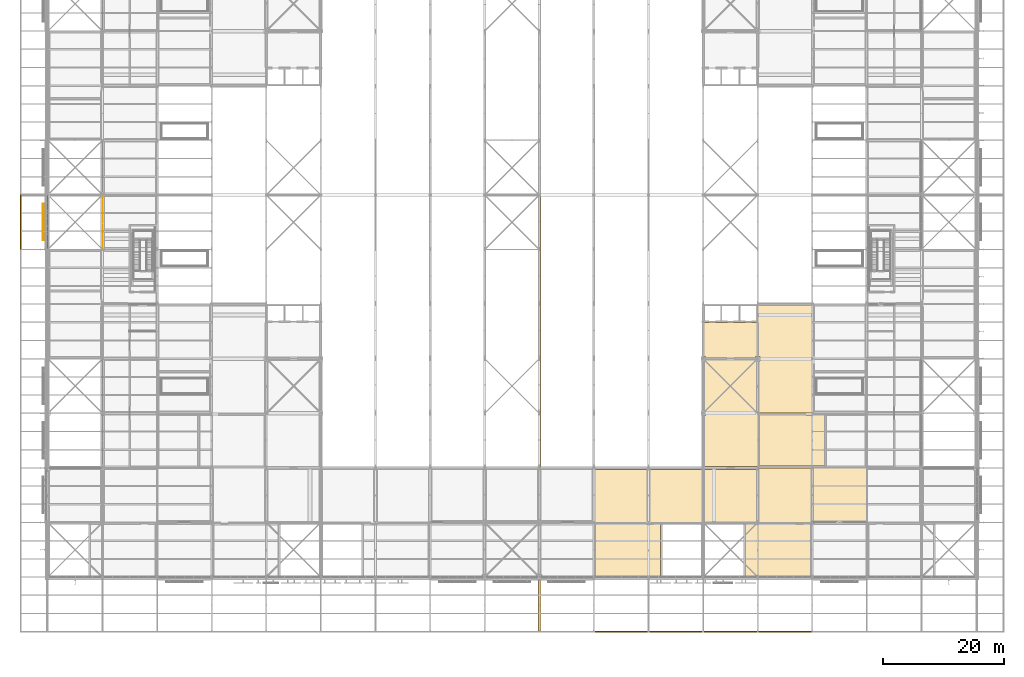
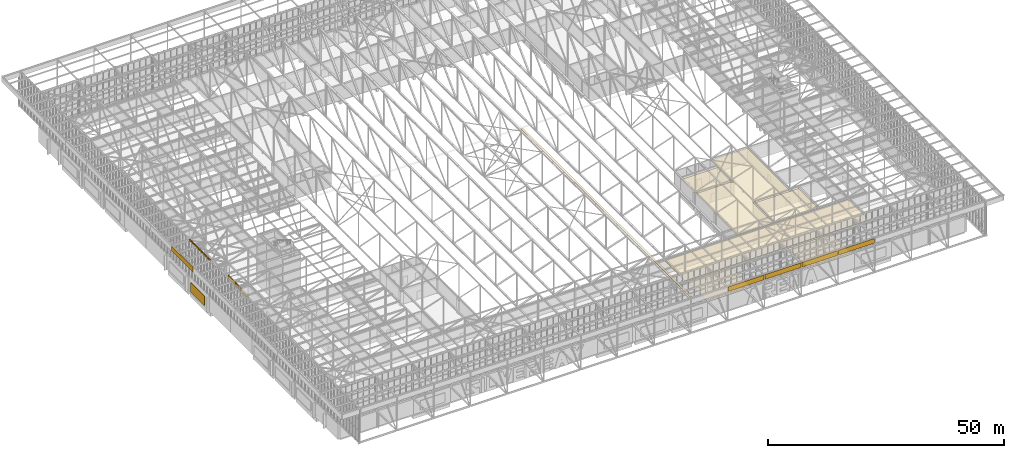
# One storey, part 633 of 646: 15 coverings, 1 railing, 1 shading device.
"""IFC4 building model written with IfcOpenShell, lengths in metres."""

from ifc_helpers import new_model, si_unit, direction, frame, origin, origin_2d, place, context, subcontext, project, spatial, polyline, rectangle, circle, outline, extrude, material, layer, layer_set, type_object, element, save


model = new_model("IFC4")

# Units and contexts
model_context = context("Model", 3, precision=1e-05, world=origin(), true_north=direction((0.0, 1.0)))
body_context = subcontext(model_context, "Body", "Model", "MODEL_VIEW")
ifc_project = project(units=[si_unit("LENGTHUNIT", "METRE"), si_unit("AREAUNIT", "SQUARE_METRE"), si_unit("VOLUMEUNIT", "CUBIC_METRE"), si_unit("PLANEANGLEUNIT", "RADIAN"), si_unit("MASSUNIT", "GRAM", prefix="KILO")], contexts=[model_context])

# Site, building, storey
site_placement = place(None, origin())
site = spatial("IfcSite", under=ifc_project, at=site_placement, CompositionType="ELEMENT")
building_placement = place(site_placement, origin())
building = spatial("IfcBuilding", under=site, at=building_placement, Name="Silverbay Arena", CompositionType="ELEMENT")
storey_placement = place(building_placement, frame((0.0, 0.0, 33.5)))
storey = spatial("IfcBuildingStorey", under=building, at=storey_placement, Name="L05", CompositionType="ELEMENT", Elevation=33.5)

# Coverings
ifc_material_1 = material(Name="Fire-resisting board ceiling")
ifc_layer_1 = layer(ifc_material_1, 0.050048828125)
ifc_layer_set_1 = layer_set([ifc_layer_1], Name="Fire-resisting board ceiling")
covering_type_1 = type_object("IfcCoveringType", Name="Fire-resisting ceiling EI 120", PredefinedType="CEILING", material=ifc_layer_set_1)
covering_1_placement = place(storey_placement, frame((0.0, 0.0, 3.5)))
element("IfcCovering", 1, at=covering_1_placement, inside=storey, type_object=covering_type_1, Name="Fire-resisting ceiling 03", PredefinedType="CEILING", context=body_context, shape_type="SweptSolid", body=[
    extrude(outline(polyline([(188.9599609375, 35.77001953125), (188.9599609375, 36.0), (171.052001953125, 36.0), (171.052001953125, 35.77001953125), (144.02001953125, 35.77001953125), (144.02001953125, 27.10009765625), (144.0, 27.10009765625), (144.0, 27.030029296875), (180.0, 27.030029296875), (180.0, 27.074951171875), (189.02001953125, 27.074951171875), (189.02001953125, 35.77001953125), (188.9599609375, 35.77001953125)])), origin(), (0.0, 0.0, 1.0), 0.050048828125),
])
covering_2_placement = place(storey_placement, frame((0.0, 0.0, 3.5)))
element("IfcCovering", 2, at=covering_2_placement, inside=storey, type_object=covering_type_1, Name="Fire-resisting ceiling 37", PredefinedType="CEILING", context=body_context, shape_type="SweptSolid", body=[
    extrude(outline(polyline([(179.969970703125, 45.030029296875), (179.969970703125, 63.02001953125), (171.030029296875, 63.02001953125), (171.030029296875, 60.0), (171.10009765625, 60.0), (171.10009765625, 54.360107421875), (171.360107421875, 54.360107421875), (171.360107421875, 53.639892578125), (170.639892578125, 53.639892578125), (170.639892578125, 53.89990234375), (162.360107421875, 53.89990234375), (162.360107421875, 53.639892578125), (161.97998046875, 53.639892578125), (161.97998046875, 45.360107421875), (162.360107421875, 45.360107421875), (162.360107421875, 44.639892578125), (161.97998046875, 44.639892578125), (161.97998046875, 36.22998046875), (170.969970703125, 36.22998046875), (170.969970703125, 45.030029296875), (179.969970703125, 45.030029296875)])), origin(), (0.0, 0.0, 1.0), 0.050048828125),
])
covering_3_placement = place(storey_placement, frame((0.0, 0.0, 3.5)))
element("IfcCovering", 3, at=covering_3_placement, inside=storey, type_object=covering_type_1, Name="Fire-resisting ceiling 38", PredefinedType="CEILING", context=body_context, shape_type="SweptSolid", body=[
    extrude(outline(polyline([(170.89990234375, 59.969970703125), (161.97998046875, 59.969970703125), (161.97998046875, 54.360107421875), (162.360107421875, 54.360107421875), (162.360107421875, 54.10009765625), (170.639892578125, 54.10009765625), (170.639892578125, 54.360107421875), (170.89990234375, 54.360107421875), (170.89990234375, 59.969970703125)])), origin(), (0.0, 0.0, 1.0), 0.050048828125),
])
covering_4_placement = place(storey_placement, frame((0.0, 0.0, 3.5)))
element("IfcCovering", 4, at=covering_4_placement, inside=storey, type_object=covering_type_1, Name="Fire-resisting ceiling 45", PredefinedType="CEILING", context=body_context, shape_type="SweptSolid", body=[
    extrude(outline(polyline([(144.0, 26.699951171875), (144.300048828125, 26.699951171875), (144.300048828125, 18.0), (155.0, 18.0), (155.0, 26.699951171875), (155.300048828125, 26.699951171875), (155.300048828125, 18.0), (161.699951171875, 18.0), (161.699951171875, 26.699951171875), (162.0, 26.699951171875), (144.0, 26.699951171875)])), origin(), (0.0, 0.0, 1.0), 0.050048828125),
])
covering_5_placement = place(storey_placement, frame((0.0, 0.0, 3.5)))
element("IfcCovering", 5, at=covering_5_placement, inside=storey, type_object=covering_type_1, Name="Fire-resisting ceiling 46", PredefinedType="CEILING", context=body_context, shape_type="SweptSolid", body=[
    extrude(outline(polyline([(162.0, 26.699951171875), (162.300048828125, 26.699951171875), (162.300048828125, 18.0), (168.699951171875, 18.0), (168.699951171875, 26.699951171875), (169.0, 26.699951171875), (169.0, 18.0), (179.699951171875, 18.0), (179.699951171875, 26.699951171875), (180.0, 26.699951171875), (162.0, 26.699951171875)])), origin(), (0.0, 0.0, 1.0), 0.050048828125),
])
covering_6_placement = place(storey_placement, frame((0.0, 0.0, 3.5)))
element("IfcCovering", 6, at=covering_6_placement, inside=storey, type_object=covering_type_1, Name="Fire-resisting ceiling 73", PredefinedType="CEILING", context=body_context, shape_type="SweptSolid", body=[
    extrude(outline(polyline([(171.300048828125, 36.300048828125), (182.0, 36.300048828125), (182.0, 44.699951171875), (171.300048828125, 44.699951171875), (171.300048828125, 36.300048828125)])), origin(), (0.0, 0.0, 1.0), 0.050048828125),
])
ifc_material_2 = material(Name="Insulated metal cladding panel")
ifc_layer_2 = layer(ifc_material_2, 0.199951171875)
ifc_layer_set_2 = layer_set([ifc_layer_2], Name="Insulated metal cladding panel")
covering_type_2 = type_object("IfcCoveringType", Name="Gable head closer 200", PredefinedType="CLADDING", material=ifc_layer_set_2)
covering_7_placement = place(storey_placement, frame((0.0, 0.0, 13.0)))
element("IfcCovering", 7, at=covering_7_placement, inside=storey, type_object=covering_type_2, Name="ROOF GABLE HEAD CLOSER west 22", PredefinedType="CLADDING", context=body_context, shape_type="SweptSolid", body=[
    extrude(outline(polyline([(53.68994140625, 72.10009765625), (53.889892578125, 72.10009765625), (53.889892578125, 74.89990234375), (53.68994140625, 74.89990234375), (53.68994140625, 72.10009765625)])), origin(), (0.0, 0.0, 1.0), 0.300048828125),
])
covering_8_placement = place(storey_placement, frame((0.0, 0.0, 13.0)))
element("IfcCovering", 8, at=covering_8_placement, inside=storey, type_object=covering_type_2, Name="ROOF GABLE HEAD CLOSER west 23", PredefinedType="CLADDING", context=body_context, shape_type="SweptSolid", body=[
    extrude(outline(polyline([(53.68994140625, 75.10009765625), (53.889892578125, 75.10009765625), (53.889892578125, 77.89990234375), (53.68994140625, 77.89990234375), (53.68994140625, 75.10009765625)])), origin(), (0.0, 0.0, 1.0), 0.300048828125),
])
covering_9_placement = place(storey_placement, frame((0.0, 0.0, 13.0)))
element("IfcCovering", 9, at=covering_9_placement, inside=storey, type_object=covering_type_2, Name="ROOF GABLE HEAD CLOSER west 24", PredefinedType="CLADDING", context=body_context, shape_type="SweptSolid", body=[
    extrude(outline(polyline([(53.68994140625, 78.10009765625), (53.889892578125, 78.10009765625), (53.889892578125, 80.89990234375), (53.68994140625, 80.89990234375), (53.68994140625, 78.10009765625)])), origin(), (0.0, 0.0, 1.0), 0.300048828125),
])

# Shading device
ifc_material_3 = material(Name="Aluminium", Category="aluminium")
shading_device_type = type_object("IfcShadingDeviceType", Name="Louvre screen 6000 x 2400", PredefinedType="JALOUSIE", material=ifc_material_3)
shading_device_placement = place(storey_placement, frame((53.22509765625, 76.5, 0.800048828125), z_axis=(0.0, 0.0, 1.0), x_axis=(0.0, 1.0, 0.0)))
element("IfcShadingDevice", 10, at=shading_device_placement, inside=storey, type_object=shading_device_type, Name="West plant louvre L05 bay 7", PredefinedType="JALOUSIE", context=body_context, shape_type="SweptSolid", body=[
    extrude(rectangle(XDim=6.0, YDim=0.14990234375, at=origin_2d()), origin(), (0.0, 0.0, 1.0), 2.39990234375),
])

# Railing
ifc_material_4 = material(Name="Stainless steel", Category="steel")
railing_type = type_object("IfcRailingType", Name="Opening guard 1100", PredefinedType="GUARDRAIL", material=ifc_material_4)
railing_placement = place(storey_placement, frame((63.0400390625, 72.0, 0.0)))
element("IfcRailing", 11, at=railing_placement, inside=storey, type_object=railing_type, Name="Opening guard L05 end gallery W-inner edge", PredefinedType="GUARDRAIL", context=body_context, shape_type="SweptSolid", body=[
    extrude(circle(Radius=0.02392578125, at=origin_2d()), frame((0.0, 0.0, 1.076171875), z_axis=(0.0, 1.0, 0.0), x_axis=(-1.0, 0.0, 0.0)), (0.0, 0.0, 1.0), 8.64990234375),
    extrude(outline(polyline([(-0.008056640625, 0.050048828125), (1.08935546875, 0.050048828125), (1.08935546875, 1.052978515625), (-0.008056640625, 1.052978515625), (-0.008056640625, 0.050048828125)])), frame((-0.0029296875, 0.0, 0.0), z_axis=(1.0, 0.0, 0.0), x_axis=(0.0, 1.0, 0.0)), (0.0, 0.0, 1.0), 0.006103515625),
    extrude(outline(polyline([(-0.008056640625, 0.050048828125), (1.08935546875, 0.050048828125), (1.08935546875, 1.052978515625), (-0.008056640625, 1.052978515625), (-0.008056640625, 0.050048828125)])), frame((-0.0029296875, 1.081298828125, 0.0), z_axis=(1.0, 0.0, 0.0), x_axis=(0.0, 1.0, 0.0)), (0.0, 0.0, 1.0), 0.006103515625),
    extrude(outline(polyline([(-0.008056640625, 0.050048828125), (1.08935546875, 0.050048828125), (1.08935546875, 1.052978515625), (-0.008056640625, 1.052978515625), (-0.008056640625, 0.050048828125)])), frame((-0.0029296875, 2.16259765625, 0.0), z_axis=(1.0, 0.0, 0.0), x_axis=(0.0, 1.0, 0.0)), (0.0, 0.0, 1.0), 0.006103515625),
    extrude(outline(polyline([(-0.008056640625, 0.050048828125), (1.08935546875, 0.050048828125), (1.08935546875, 1.052978515625), (-0.008056640625, 1.052978515625), (-0.008056640625, 0.050048828125)])), frame((-0.0029296875, 3.24365234375, 0.0), z_axis=(1.0, 0.0, 0.0), x_axis=(0.0, 1.0, 0.0)), (0.0, 0.0, 1.0), 0.006103515625),
    extrude(outline(polyline([(-0.008056640625, 0.050048828125), (1.08935546875, 0.050048828125), (1.08935546875, 1.052978515625), (-0.008056640625, 1.052978515625), (-0.008056640625, 0.050048828125)])), frame((-0.0029296875, 4.324951171875, 0.0), z_axis=(1.0, 0.0, 0.0), x_axis=(0.0, 1.0, 0.0)), (0.0, 0.0, 1.0), 0.006103515625),
    extrude(outline(polyline([(-0.008056640625, 0.050048828125), (1.08935546875, 0.050048828125), (1.08935546875, 1.052978515625), (-0.008056640625, 1.052978515625), (-0.008056640625, 0.050048828125)])), frame((-0.0029296875, 5.40625, 0.0), z_axis=(1.0, 0.0, 0.0), x_axis=(0.0, 1.0, 0.0)), (0.0, 0.0, 1.0), 0.006103515625),
    extrude(outline(polyline([(-0.008056640625, 0.050048828125), (1.08935546875, 0.050048828125), (1.08935546875, 1.052978515625), (-0.008056640625, 1.052978515625), (-0.008056640625, 0.050048828125)])), frame((-0.0029296875, 6.4873046875, 0.0), z_axis=(1.0, 0.0, 0.0), x_axis=(0.0, 1.0, 0.0)), (0.0, 0.0, 1.0), 0.006103515625),
    extrude(outline(polyline([(-0.008056640625, 0.050048828125), (1.08935546875, 0.050048828125), (1.08935546875, 1.052978515625), (-0.008056640625, 1.052978515625), (-0.008056640625, 0.050048828125)])), frame((-0.0029296875, 7.568603515625, 0.0), z_axis=(1.0, 0.0, 0.0), x_axis=(0.0, 1.0, 0.0)), (0.0, 0.0, 1.0), 0.006103515625),
    extrude(circle(Radius=0.02099609375, at=origin_2d()), origin(), (0.0, 0.0, 1.0), 1.052001953125),
    extrude(circle(Radius=0.02099609375, at=origin_2d()), frame((0.0, 1.081298828125, 0.0)), (0.0, 0.0, 1.0), 1.052001953125),
    extrude(circle(Radius=0.02099609375, at=origin_2d()), frame((0.0, 2.16259765625, 0.0)), (0.0, 0.0, 1.0), 1.052001953125),
    extrude(circle(Radius=0.02099609375, at=origin_2d()), frame((0.0, 3.24365234375, 0.0)), (0.0, 0.0, 1.0), 1.052001953125),
    extrude(circle(Radius=0.02099609375, at=origin_2d()), frame((0.0, 4.324951171875, 0.0)), (0.0, 0.0, 1.0), 1.052001953125),
    extrude(circle(Radius=0.02099609375, at=origin_2d()), frame((0.0, 5.40625, 0.0)), (0.0, 0.0, 1.0), 1.052001953125),
    extrude(circle(Radius=0.02099609375, at=origin_2d()), frame((0.0, 6.4873046875, 0.0)), (0.0, 0.0, 1.0), 1.052001953125),
    extrude(circle(Radius=0.02099609375, at=origin_2d()), frame((0.0, 7.568603515625, 0.0)), (0.0, 0.0, 1.0), 1.052001953125),
    extrude(circle(Radius=0.02099609375, at=origin_2d()), frame((0.0, 8.64990234375, 0.0)), (0.0, 0.0, 1.0), 1.052001953125),
])

# Coverings
ifc_material_5 = material(Name="Insulated metal cladding panel")
ifc_layer_3 = layer(ifc_material_5, 0.199951171875)
ifc_layer_set_3 = layer_set([ifc_layer_3], Name="Insulated metal cladding panel")
covering_type_3 = type_object("IfcCoveringType", Name="Roof edge fascia 200", PredefinedType="CLADDING", material=ifc_layer_set_3)
covering_10_placement = place(storey_placement, frame((0.0, 0.0, 11.800048828125)))
element("IfcCovering", 12, at=covering_10_placement, inside=storey, type_object=covering_type_3, Name="ROOF EDGE FASCIA south bay 11", PredefinedType="CLADDING", context=body_context, shape_type="SweptSolid", body=[
    extrude(outline(polyline([(144.12939453125, 8.89990234375), (152.87060546875, 8.89990234375), (152.87060546875, 9.10009765625), (144.12939453125, 9.10009765625), (144.12939453125, 8.89990234375)])), origin(), (0.0, 0.0, 1.0), 1.199951171875),
])
covering_11_placement = place(storey_placement, frame((0.0, 0.0, 11.800048828125)))
element("IfcCovering", 13, at=covering_11_placement, inside=storey, type_object=covering_type_3, Name="ROOF EDGE FASCIA south bay 12", PredefinedType="CLADDING", context=body_context, shape_type="SweptSolid", body=[
    extrude(outline(polyline([(153.12939453125, 8.89990234375), (161.872802734375, 8.89990234375), (161.872802734375, 9.10009765625), (153.12939453125, 9.10009765625), (153.12939453125, 8.89990234375)])), origin(), (0.0, 0.0, 1.0), 1.199951171875),
])
covering_12_placement = place(storey_placement, frame((0.0, 0.0, 11.800048828125)))
element("IfcCovering", 14, at=covering_12_placement, inside=storey, type_object=covering_type_3, Name="ROOF EDGE FASCIA south bay 13", PredefinedType="CLADDING", context=body_context, shape_type="SweptSolid", body=[
    extrude(outline(polyline([(162.127197265625, 8.89990234375), (170.872802734375, 8.89990234375), (170.872802734375, 9.10009765625), (162.127197265625, 9.10009765625), (162.127197265625, 8.89990234375)])), origin(), (0.0, 0.0, 1.0), 1.199951171875),
])
covering_13_placement = place(storey_placement, frame((0.0, 0.0, 11.800048828125)))
element("IfcCovering", 15, at=covering_13_placement, inside=storey, type_object=covering_type_3, Name="ROOF EDGE FASCIA south bay 14", PredefinedType="CLADDING", context=body_context, shape_type="SweptSolid", body=[
    extrude(outline(polyline([(171.127197265625, 8.89990234375), (179.872802734375, 8.89990234375), (179.872802734375, 9.10009765625), (171.127197265625, 9.10009765625), (171.127197265625, 8.89990234375)])), origin(), (0.0, 0.0, 1.0), 1.199951171875),
])
covering_14_placement = place(storey_placement, frame((0.0, 0.0, 11.800048828125)))
element("IfcCovering", 16, at=covering_14_placement, inside=storey, type_object=covering_type_3, Name="ROOF EDGE FASCIA west bay 08", PredefinedType="CLADDING", context=body_context, shape_type="SweptSolid", body=[
    extrude(outline(polyline([(49.39990234375, 72.0), (49.60009765625, 72.0), (49.60009765625, 81.0), (49.39990234375, 81.0), (49.39990234375, 72.0)])), origin(), (0.0, 0.0, 1.0), 1.199951171875),
])
ifc_material_6 = material(Name="Aluminium", Category="aluminium")
ifc_layer_4 = layer(ifc_material_6, 0.050048828125)
ifc_layer_set_4 = layer_set([ifc_layer_4], Name="Aluminium")
covering_type_4 = type_object("IfcCoveringType", Name="Roof movement joint cover 500", PredefinedType="CLADDING", material=ifc_layer_set_4)
covering_15_placement = place(storey_placement, frame((0.0, 0.0, 13.64990234375)))
element("IfcCovering", 17, at=covering_15_placement, inside=storey, type_object=covering_type_4, Name="ROOF MOVEMENT JOINT COVER on the middle truss line south", PredefinedType="CLADDING", context=body_context, shape_type="SweptSolid", body=[
    extrude(outline(polyline([(134.75, 8.89990234375), (135.25, 8.89990234375), (135.25, 80.75), (134.75, 80.75), (134.75, 8.89990234375)])), origin(), (0.0, 0.0, 1.0), 0.050048828125),
])

save(model, "model.ifc")
